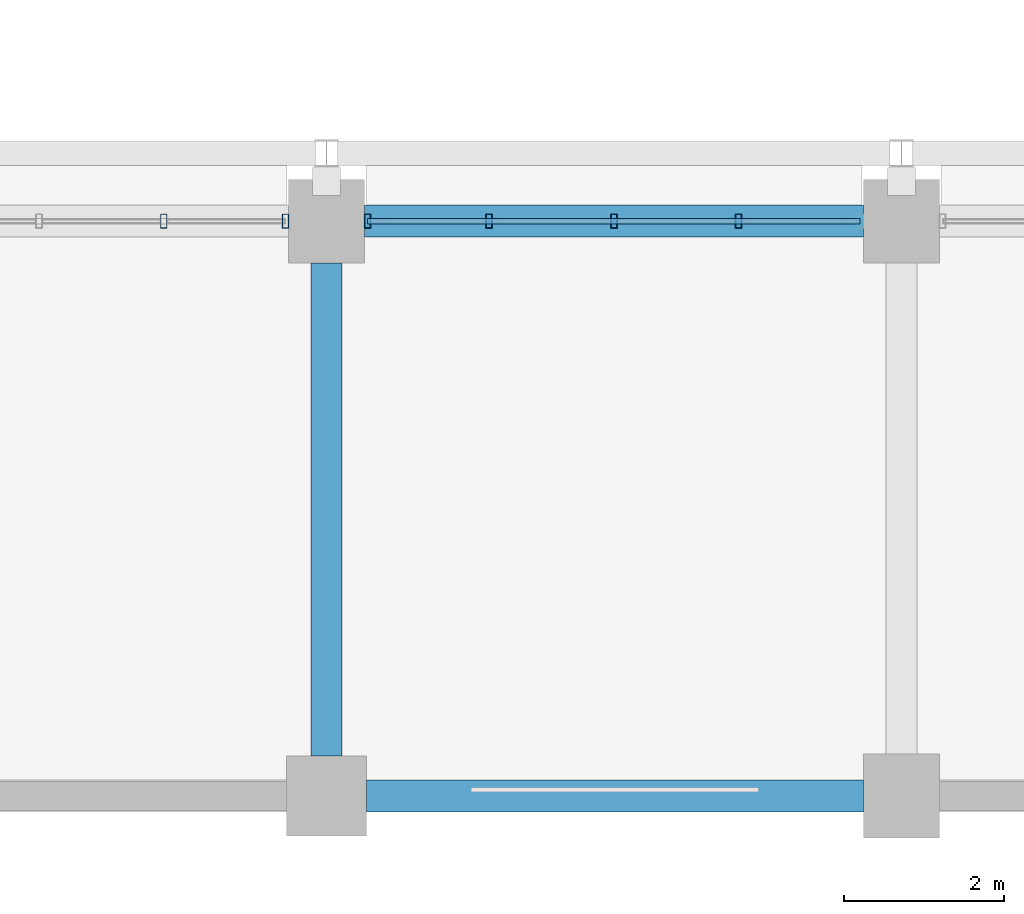
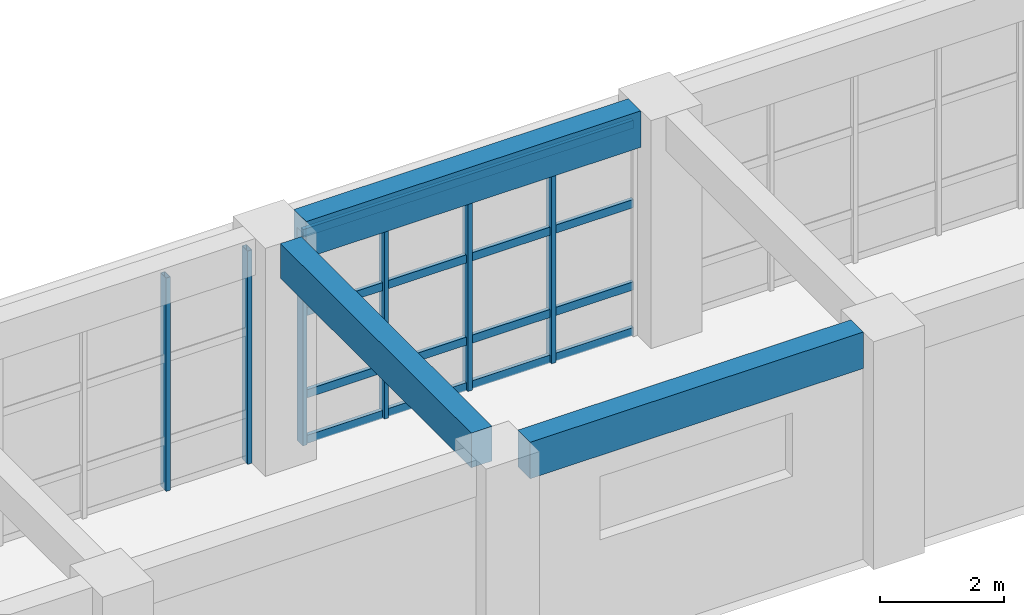
# One storey, part 87 of 171: 10 members, 3 beams, 2 elements without a shape of their own.
"""IFC4 building model written with IfcOpenShell, lengths in metres."""

from ifc_helpers import new_model, si_unit, direction, frame, origin, origin_2d, place, context, subcontext, project, spatial, rectangle, hollow_rectangle, extrude, material, material_profile, profile_set, type_object, element, aggregate, save


model = new_model("IFC4")

# Units and contexts
model_context = context("Model", 3, precision=1e-05, world=origin(), true_north=direction((0.0, 1.0)))
body_context = subcontext(model_context, "Body", "Model", "MODEL_VIEW")
ifc_project = project(units=[si_unit("LENGTHUNIT", "METRE"), si_unit("AREAUNIT", "SQUARE_METRE"), si_unit("VOLUMEUNIT", "CUBIC_METRE"), si_unit("PLANEANGLEUNIT", "RADIAN"), si_unit("MASSUNIT", "GRAM", prefix="KILO")], contexts=[model_context])

# Site, building, storey
site_placement = place(None, origin())
site = spatial("IfcSite", under=ifc_project, at=site_placement, CompositionType="ELEMENT")
building_placement = place(site_placement, origin())
building = spatial("IfcBuilding", under=site, at=building_placement, Name="Thalmaran Polytechnic", CompositionType="ELEMENT")
storey_placement = place(building_placement, frame((0.0, 0.0, 5.39990234375)))
storey = spatial("IfcBuildingStorey", under=building, at=storey_placement, Name="L01", CompositionType="ELEMENT", Elevation=5.39990234375)

# Beams
ifc_material_1 = material(Name="Concrete C40/50", Category="concrete")
ifc_material_profile_1 = material_profile(ifc_material_1, rectangle(XDim=0.389892578125, YDim=0.68505859375, at=origin_2d()), Name="RC 390x685")
ifc_profile_set_1 = profile_set([ifc_material_profile_1], Name="Concrete C40/50")
beam_type_1 = type_object("IfcBeamType", Name="BM-RC08", PredefinedType="BEAM", material=ifc_profile_set_1)
beam_1_placement = place(storey_placement, frame((129.60009765625, 0.5, 4.15771484375), z_axis=(0.0, 1.0, 0.0), x_axis=(-1.0, 0.0, 0.0)))
element("IfcBeam", 1, at=beam_1_placement, inside=storey, type_object=beam_type_1, Name="Grid Beam B08 L01 Y(18,0)", PredefinedType="BEAM", context=body_context, shape_type="SweptSolid", body=[
    extrude(rectangle(XDim=0.389892578125, YDim=0.68505859375, at=origin_2d()), origin(), (0.0, 0.0, 1.0), 6.175048828125),
])
ifc_material_profile_2 = material_profile(ifc_material_1, rectangle(XDim=0.39990234375, YDim=0.719970703125, at=origin_2d()), Name="RC 400x720")
ifc_profile_set_2 = profile_set([ifc_material_profile_2], Name="Concrete C40/50")
beam_type_2 = type_object("IfcBeamType", Name="BM-SP01", PredefinedType="SPANDREL", material=ifc_profile_set_2)
beam_2_placement = place(storey_placement, frame((130.10009765625, 0.0, 4.14013671875), z_axis=(1.0, 0.0, 0.0), x_axis=(0.0, 1.0, 0.0)))
element("IfcBeam", 2, at=beam_2_placement, inside=storey, type_object=beam_type_2, Name="Grid Beam SP01 L01 X(18,0)", PredefinedType="SPANDREL", context=body_context, shape_type="SweptSolid", body=[
    extrude(rectangle(XDim=0.39990234375, YDim=0.719970703125, at=origin_2d()), origin(), (0.0, 0.0, 1.0), 6.224853515625),
])
beam_3_placement = place(storey_placement, frame((130.074951171875, 7.199951171875, 4.14013671875), z_axis=(1.0, 0.0, 0.0), x_axis=(0.0, 1.0, 0.0)))
element("IfcBeam", 3, at=beam_3_placement, inside=storey, type_object=beam_type_2, Name="Grid Beam SP01 L01 X(18,1)", PredefinedType="SPANDREL", context=body_context, shape_type="SweptSolid", body=[
    extrude(rectangle(XDim=0.39990234375, YDim=0.719970703125, at=origin_2d()), origin(), (0.0, 0.0, 1.0), 6.25),
])

# Curtain wall, members
ifc_material_2 = material(Name="Aluminium 6063-T6", Category="aluminium")
curtain_wall_type = type_object("IfcCurtainWallType", Name="CW-UC02", PredefinedType="USERDEFINED", material=ifc_material_2)
curtain_wall_1_placement = place(storey_placement, origin())
curtain_wall_1 = element("IfcCurtainWall", 4, at=curtain_wall_1_placement, inside=storey, type_object=curtain_wall_type, Name="Curtain Wall CW-L01-112", ObjectType="UNITISED CURTAIN WALL", PredefinedType="USERDEFINED")
ifc_material_profile_3 = material_profile(ifc_material_2, hollow_rectangle(XDim=0.080078125, YDim=0.179931640625, WallThickness=0.0048828125, at=origin_2d()), Name="RHS 180x80x5.0")
ifc_profile_set_3 = profile_set([ifc_material_profile_3], Name="Aluminium 6063-T6")
member_type_1 = type_object("IfcMemberType", Name="CW-MUL1", PredefinedType="MULLION", material=ifc_profile_set_3)
member_1_placement = place(storey_placement, frame((127.5625, 7.199951171875, 0.0), z_axis=(0.0, 0.0, 1.0), x_axis=(1.0, 0.0, 0.0)))
member_1 = element("IfcMember", 5, at=member_1_placement, type_object=member_type_1, Name="CW-L01-112 Mullion 4", PredefinedType="MULLION", context=body_context, shape_type="SweptSolid", body=[
    extrude(hollow_rectangle(XDim=0.080078125, YDim=0.179931640625, WallThickness=0.0048828125, at=origin_2d()), origin(), (0.0, 0.0, 1.0), 4.210205078125),
])
member_2_placement = place(storey_placement, frame((129.0849609375, 7.199951171875, 0.0), z_axis=(0.0, 0.0, 1.0), x_axis=(1.0, 0.0, 0.0)))
member_2 = element("IfcMember", 6, at=member_2_placement, type_object=member_type_1, Name="CW-L01-112 Mullion 5", PredefinedType="MULLION", context=body_context, shape_type="SweptSolid", body=[
    extrude(hollow_rectangle(XDim=0.080078125, YDim=0.179931640625, WallThickness=0.0048828125, at=origin_2d()), origin(), (0.0, 0.0, 1.0), 4.210205078125),
])
aggregate(curtain_wall_1, [member_1, member_2])

curtain_wall_2_placement = place(storey_placement, origin())
curtain_wall_2 = element("IfcCurtainWall", 7, at=curtain_wall_2_placement, inside=storey, type_object=curtain_wall_type, Name="Curtain Wall CW-L01-113", ObjectType="UNITISED CURTAIN WALL", PredefinedType="USERDEFINED")
member_3_placement = place(storey_placement, frame((130.114990234375, 7.199951171875, 0.0), z_axis=(0.0, 0.0, 1.0), x_axis=(1.0, 0.0, 0.0)))
member_3 = element("IfcMember", 8, at=member_3_placement, type_object=member_type_1, Name="CW-L01-113 Mullion 1", PredefinedType="MULLION", context=body_context, shape_type="SweptSolid", body=[
    extrude(hollow_rectangle(XDim=0.080078125, YDim=0.179931640625, WallThickness=0.0048828125, at=origin_2d()), origin(), (0.0, 0.0, 1.0), 4.210205078125),
])
member_4_placement = place(storey_placement, frame((131.637451171875, 7.199951171875, 0.0), z_axis=(0.0, 0.0, 1.0), x_axis=(1.0, 0.0, 0.0)))
member_4 = element("IfcMember", 9, at=member_4_placement, type_object=member_type_1, Name="CW-L01-113 Mullion 2", PredefinedType="MULLION", context=body_context, shape_type="SweptSolid", body=[
    extrude(hollow_rectangle(XDim=0.080078125, YDim=0.179931640625, WallThickness=0.0048828125, at=origin_2d()), origin(), (0.0, 0.0, 1.0), 4.210205078125),
])
member_5_placement = place(storey_placement, frame((133.199951171875, 7.199951171875, 0.0), z_axis=(0.0, 0.0, 1.0), x_axis=(1.0, 0.0, 0.0)))
member_5 = element("IfcMember", 10, at=member_5_placement, type_object=member_type_1, Name="CW-L01-113 Mullion 3", PredefinedType="MULLION", context=body_context, shape_type="SweptSolid", body=[
    extrude(hollow_rectangle(XDim=0.080078125, YDim=0.179931640625, WallThickness=0.0048828125, at=origin_2d()), origin(), (0.0, 0.0, 1.0), 4.210205078125),
])
member_6_placement = place(storey_placement, frame((134.762451171875, 7.199951171875, 0.0), z_axis=(0.0, 0.0, 1.0), x_axis=(1.0, 0.0, 0.0)))
member_6 = element("IfcMember", 11, at=member_6_placement, type_object=member_type_1, Name="CW-L01-113 Mullion 4", PredefinedType="MULLION", context=body_context, shape_type="SweptSolid", body=[
    extrude(hollow_rectangle(XDim=0.080078125, YDim=0.179931640625, WallThickness=0.0048828125, at=origin_2d()), origin(), (0.0, 0.0, 1.0), 4.210205078125),
])
ifc_material_profile_4 = material_profile(ifc_material_2, hollow_rectangle(XDim=0.070068359375, YDim=0.159912109375, WallThickness=0.00390625, at=origin_2d()), Name="AL 160x70x4.0")
ifc_profile_set_4 = profile_set([ifc_material_profile_4], Name="Aluminium 6063-T6")
member_type_2 = type_object("IfcMemberType", Name="CW-TRN1", PredefinedType="USERDEFINED", material=ifc_profile_set_4)
member_7_placement = place(storey_placement, frame((130.114990234375, 7.199951171875, 0.06005859375), z_axis=(1.0, 0.0, 0.0), x_axis=(0.0, 1.0, 0.0)))
member_7 = element("IfcMember", 12, at=member_7_placement, type_object=member_type_2, Name="CW-L01-113 Transom 1", ObjectType="TRANSOM", PredefinedType="USERDEFINED", context=body_context, shape_type="SweptSolid", body=[
    extrude(hollow_rectangle(XDim=0.070068359375, YDim=0.159912109375, WallThickness=0.00390625, at=origin_2d()), origin(), (0.0, 0.0, 1.0), 6.169921875),
])
member_8_placement = place(storey_placement, frame((130.114990234375, 7.199951171875, 0.960205078125), z_axis=(1.0, 0.0, 0.0), x_axis=(0.0, 1.0, 0.0)))
member_8 = element("IfcMember", 13, at=member_8_placement, type_object=member_type_2, Name="CW-L01-113 Transom 2", ObjectType="TRANSOM", PredefinedType="USERDEFINED", context=body_context, shape_type="SweptSolid", body=[
    extrude(hollow_rectangle(XDim=0.070068359375, YDim=0.159912109375, WallThickness=0.00390625, at=origin_2d()), origin(), (0.0, 0.0, 1.0), 6.169921875),
])
member_9_placement = place(storey_placement, frame((130.114990234375, 7.199951171875, 2.585205078125), z_axis=(1.0, 0.0, 0.0), x_axis=(0.0, 1.0, 0.0)))
member_9 = element("IfcMember", 14, at=member_9_placement, type_object=member_type_2, Name="CW-L01-113 Transom 3", ObjectType="TRANSOM", PredefinedType="USERDEFINED", context=body_context, shape_type="SweptSolid", body=[
    extrude(hollow_rectangle(XDim=0.070068359375, YDim=0.159912109375, WallThickness=0.00390625, at=origin_2d()), origin(), (0.0, 0.0, 1.0), 6.169921875),
])
member_10_placement = place(storey_placement, frame((130.114990234375, 7.199951171875, 4.150146484375), z_axis=(1.0, 0.0, 0.0), x_axis=(0.0, 1.0, 0.0)))
member_10 = element("IfcMember", 15, at=member_10_placement, type_object=member_type_2, Name="CW-L01-113 Transom 4", ObjectType="TRANSOM", PredefinedType="USERDEFINED", context=body_context, shape_type="SweptSolid", body=[
    extrude(hollow_rectangle(XDim=0.070068359375, YDim=0.159912109375, WallThickness=0.00390625, at=origin_2d()), origin(), (0.0, 0.0, 1.0), 6.169921875),
])
aggregate(curtain_wall_2, [member_3, member_4, member_5, member_6, member_7, member_8, member_9, member_10])

save(model, "model.ifc")
